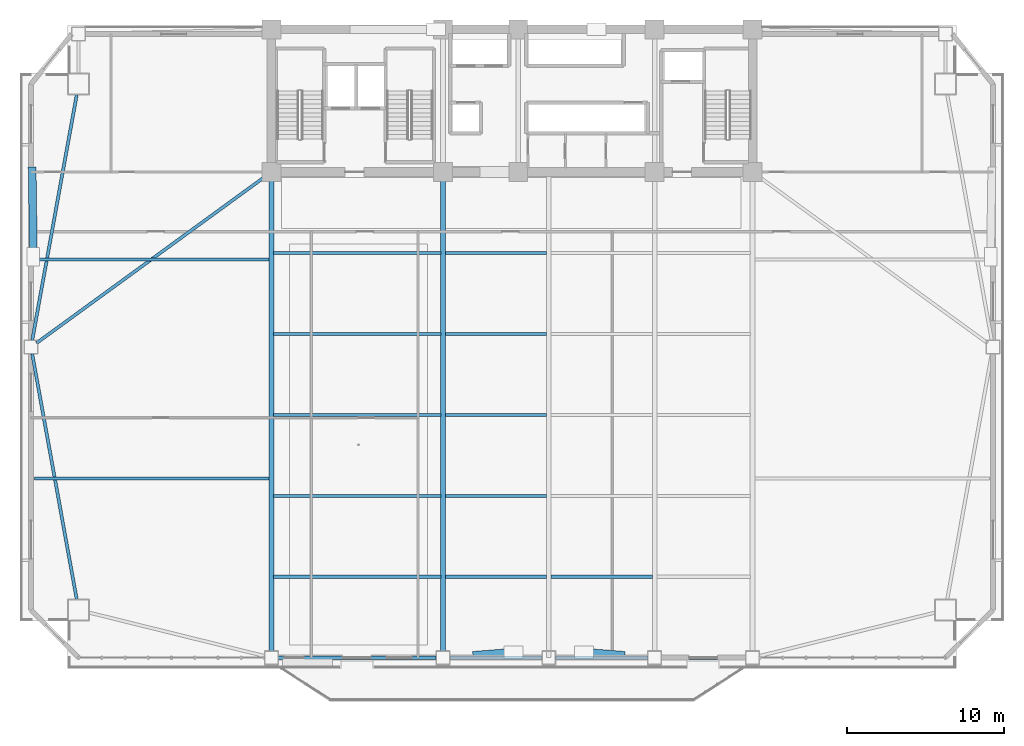
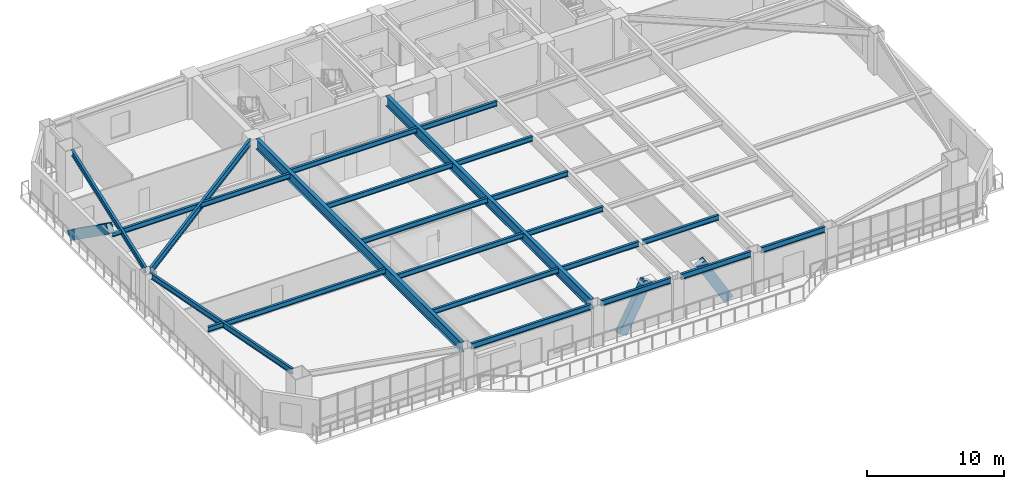
# One storey, part 3 of 15: 22 beams, 3 members.
"""IFC4 building model written with IfcOpenShell, lengths in metres."""

from ifc_helpers import new_model, si_unit, direction, frame, origin, origin_2d, place, context, subcontext, project, spatial, hollow_rectangle, i_section, extrude, source, transform, mapped, material, material_profile, profile_set, type_object, element, save


model = new_model("IFC4")

# Units and contexts
model_context = context("Model", 3, precision=1e-05, world=origin(), true_north=direction((0.0, 1.0)))
body_context = subcontext(model_context, "Body", "Model", "MODEL_VIEW")
ifc_project = project(units=[si_unit("LENGTHUNIT", "METRE"), si_unit("AREAUNIT", "SQUARE_METRE"), si_unit("VOLUMEUNIT", "CUBIC_METRE"), si_unit("PLANEANGLEUNIT", "RADIAN"), si_unit("MASSUNIT", "GRAM", prefix="KILO")], contexts=[model_context])

# Site, building, storey
site_placement = place(None, origin())
site = spatial("IfcSite", under=ifc_project, at=site_placement, CompositionType="ELEMENT")
building_placement = place(site_placement, origin())
building = spatial("IfcBuilding", under=site, at=building_placement, Name="Giltprow Tower", CompositionType="ELEMENT")
storey_placement = place(building_placement, frame((0.0, 0.0, 103.60009765625)))
storey = spatial("IfcBuildingStorey", under=building, at=storey_placement, Name="L25", CompositionType="ELEMENT", Elevation=103.60009765625)

# Beams
ifc_material_1 = material(Name="Structural steel Q355B", Category="steel")
ifc_material_profile_1 = material_profile(ifc_material_1, i_section(OverallWidth=0.199951171875, OverallDepth=0.449951171875, WebThickness=0.009033203125, FlangeThickness=0.013916015625, at=origin_2d()), Name="HN 450x200x9x14")
ifc_profile_set_1 = profile_set([ifc_material_profile_1], Name="Structural steel Q355B")
beam_type_1 = type_object("IfcBeamType", Name="BM-JOIST-HN450", PredefinedType="JOIST", material=ifc_profile_set_1)
shared_shape_1 = source(origin(), body_context, "Body", "SweptSolid", [
    extrude(i_section(OverallWidth=0.199951171875, OverallDepth=0.449951171875, WebThickness=0.009033203125, FlangeThickness=0.013916015625, at=origin_2d()), origin(), (0.0, 0.0, 1.0), 10.659912109375),
])
for number, where, z_axis, x_axis, name in (
    (1, (19.9951171875, 11.626953125, 3.454833984375), (1.0, 0.0, 0.0), (0.0, 1.0, 0.0), "L25 Composite Floor Joist 1-1"),
    (2, (19.9951171875, 16.791015625, 3.454833984375), (1.0, 0.0, 0.0), (0.0, 1.0, 0.0), "L25 Composite Floor Joist 2-1"),
    (3, (19.9951171875, 21.9560546875, 3.454833984375), (1.0, 0.0, 0.0), (0.0, 1.0, 0.0), "L25 Composite Floor Joist 3-1"),
    (4, (19.9951171875, 27.12109375, 3.454833984375), (1.0, 0.0, 0.0), (0.0, 1.0, 0.0), "L25 Composite Floor Joist 4-1"),
    (5, (19.9951171875, 32.284912109375, 3.454833984375), (1.0, 0.0, 0.0), (0.0, 1.0, 0.0), "L25 Composite Floor Joist 5-1"),
):
    element("IfcBeam", number, at=place(storey_placement, frame(where, z_axis=z_axis, x_axis=x_axis)), inside=storey, type_object=beam_type_1, Name=name, PredefinedType="JOIST", context=body_context, shape_type="MappedRepresentation", body=[
        mapped(shared_shape_1, transform((0.0, 0.0, 0.0), x_axis=(1.0, 0.0, 0.0), y_axis=(0.0, 1.0, 0.0), z_axis=(0.0, 0.0, 1.0), scale=1.0)),
    ])
shared_shape_2 = source(origin(), body_context, "Body", "SweptSolid", [
    extrude(i_section(OverallWidth=0.199951171875, OverallDepth=0.449951171875, WebThickness=0.009033203125, FlangeThickness=0.013916015625, at=origin_2d()), origin(), (0.0, 0.0, 1.0), 6.4599609375),
])
for number, where, z_axis, x_axis, name in (
    (6, (30.945068359375, 11.626953125, 3.454833984375), (1.0, 0.0, 0.0), (0.0, 1.0, 0.0), "L25 Composite Floor Joist 1-2"),
    (7, (37.695068359375, 11.626953125, 3.454833984375), (1.0, 0.0, 0.0), (0.0, 1.0, 0.0), "L25 Composite Floor Joist 1-3"),
    (8, (30.945068359375, 16.791015625, 3.454833984375), (1.0, 0.0, 0.0), (0.0, 1.0, 0.0), "L25 Composite Floor Joist 2-2"),
    (9, (30.945068359375, 21.9560546875, 3.454833984375), (1.0, 0.0, 0.0), (0.0, 1.0, 0.0), "L25 Composite Floor Joist 3-2"),
    (10, (30.945068359375, 27.12109375, 3.454833984375), (1.0, 0.0, 0.0), (0.0, 1.0, 0.0), "L25 Composite Floor Joist 4-2"),
    (11, (30.945068359375, 32.284912109375, 3.454833984375), (1.0, 0.0, 0.0), (0.0, 1.0, 0.0), "L25 Composite Floor Joist 5-2"),
):
    element("IfcBeam", number, at=place(storey_placement, frame(where, z_axis=z_axis, x_axis=x_axis)), inside=storey, type_object=beam_type_1, Name=name, PredefinedType="JOIST", context=body_context, shape_type="MappedRepresentation", body=[
        mapped(shared_shape_2, transform((0.0, 0.0, 0.0), x_axis=(1.0, 0.0, 0.0), y_axis=(0.0, 1.0, 0.0), z_axis=(0.0, 0.0, 1.0), scale=1.0)),
    ])
shared_shape_3 = source(origin(), body_context, "Body", "SweptSolid", [
    extrude(i_section(OverallWidth=0.199951171875, OverallDepth=0.449951171875, WebThickness=0.009033203125, FlangeThickness=0.013916015625, at=origin_2d()), origin(), (0.0, 0.0, 1.0), 14.97509765625),
])
for number, where, z_axis, x_axis, name in (
    (12, (4.72998046875, 17.89306640625, 3.454833984375), (1.0, 0.0, 0.0), (0.0, 1.0, 0.0), "L25 West Wing Floor Joist 1"),
    (13, (4.72998046875, 31.864990234375, 3.454833984375), (1.0, 0.0, 0.0), (0.0, 1.0, 0.0), "L25 West Wing Floor Joist 2"),
):
    element("IfcBeam", number, at=place(storey_placement, frame(where, z_axis=z_axis, x_axis=x_axis)), inside=storey, type_object=beam_type_1, Name=name, PredefinedType="JOIST", context=body_context, shape_type="MappedRepresentation", body=[
        mapped(shared_shape_3, transform((0.0, 0.0, 0.0), x_axis=(1.0, 0.0, 0.0), y_axis=(0.0, 1.0, 0.0), z_axis=(0.0, 0.0, 1.0), scale=1.0)),
    ])
ifc_material_profile_2 = material_profile(ifc_material_1, i_section(OverallWidth=0.199951171875, OverallDepth=0.5, WebThickness=0.010009765625, FlangeThickness=0.01611328125, at=origin_2d()), Name="HN 500x200x10x16")
ifc_profile_set_2 = profile_set([ifc_material_profile_2], Name="Structural steel Q355B")
beam_type_2 = type_object("IfcBeamType", Name="BM-SPAN-HN500", PredefinedType="SPANDREL", material=ifc_profile_set_2)
shared_shape_4 = source(origin(), body_context, "Body", "SweptSolid", [
    extrude(i_section(OverallWidth=0.199951171875, OverallDepth=0.5, WebThickness=0.010009765625, FlangeThickness=0.01611328125, at=origin_2d()), origin(), (0.0, 0.0, 1.0), 10.080078125),
])
beam_1_placement = place(storey_placement, frame((20.284912109375, 6.4619140625, 3.429931640625), z_axis=(1.0, 0.0, 0.0), x_axis=(0.0, 1.0, 0.0)))
element("IfcBeam", 14, at=beam_1_placement, inside=storey, type_object=beam_type_2, Name="L25 Perimeter Spandrel Beam S1-S2", PredefinedType="SPANDREL", context=body_context, shape_type="MappedRepresentation", body=[
    mapped(shared_shape_4, transform((0.0, 0.0, 0.0), x_axis=(1.0, 0.0, 0.0), y_axis=(0.0, 1.0, 0.0), z_axis=(0.0, 0.0, 1.0), scale=1.0)),
])
shared_shape_5 = source(origin(), body_context, "Body", "SweptSolid", [
    extrude(i_section(OverallWidth=0.199951171875, OverallDepth=0.5, WebThickness=0.010009765625, FlangeThickness=0.01611328125, at=origin_2d()), origin(), (0.0, 0.0, 1.0), 5.8798828125),
])
for number, where, z_axis, x_axis, name in (
    (15, (31.235107421875, 6.4619140625, 3.429931640625), (1.0, 0.0, 0.0), (0.0, 1.0, 0.0), "L25 Perimeter Spandrel Beam S2-S_MID"),
    (16, (37.985107421875, 6.4619140625, 3.429931640625), (1.0, 0.0, 0.0), (0.0, 1.0, 0.0), "L25 Perimeter Spandrel Beam S_MID-S3"),
):
    element("IfcBeam", number, at=place(storey_placement, frame(where, z_axis=z_axis, x_axis=x_axis)), inside=storey, type_object=beam_type_2, Name=name, PredefinedType="SPANDREL", context=body_context, shape_type="MappedRepresentation", body=[
        mapped(shared_shape_5, transform((0.0, 0.0, 0.0), x_axis=(1.0, 0.0, 0.0), y_axis=(0.0, 1.0, 0.0), z_axis=(0.0, 0.0, 1.0), scale=1.0)),
    ])
shared_shape_6 = source(origin(), body_context, "Body", "SweptSolid", [
    extrude(i_section(OverallWidth=0.199951171875, OverallDepth=0.5, WebThickness=0.010009765625, FlangeThickness=0.01611328125, at=origin_2d()), origin(), (0.0, 0.0, 1.0), 5.3798828125),
])
beam_2_placement = place(storey_placement, frame((44.735107421875, 6.4619140625, 3.429931640625), z_axis=(1.0, 0.0, 0.0), x_axis=(0.0, 1.0, 0.0)))
element("IfcBeam", 17, at=beam_2_placement, inside=storey, type_object=beam_type_2, Name="L25 Perimeter Spandrel Beam S3-S4", PredefinedType="SPANDREL", context=body_context, shape_type="MappedRepresentation", body=[
    mapped(shared_shape_6, transform((0.0, 0.0, 0.0), x_axis=(1.0, 0.0, 0.0), y_axis=(0.0, 1.0, 0.0), z_axis=(0.0, 0.0, 1.0), scale=1.0)),
])
shared_shape_7 = source(origin(), body_context, "Body", "SweptSolid", [
    extrude(i_section(OverallWidth=0.199951171875, OverallDepth=0.5, WebThickness=0.010009765625, FlangeThickness=0.01611328125, at=origin_2d()), origin(), (0.0, 0.0, 1.0), 15.928955078125),
])
beam_3_placement = place(storey_placement, frame((4.587890625, 25.85205078125, 3.429931640625), z_axis=(0.178482140898, -0.983943151498, 0.0), x_axis=(0.983943151498, 0.178482140898, 0.0)))
element("IfcBeam", 18, at=beam_3_placement, inside=storey, type_object=beam_type_2, Name="L25 Perimeter Spandrel Beam W_MID-MC_SW", PredefinedType="SPANDREL", context=body_context, shape_type="MappedRepresentation", body=[
    mapped(shared_shape_7, transform((0.0, 0.0, 0.0), x_axis=(1.0, 0.0, 0.0), y_axis=(0.0, 1.0, 0.0), z_axis=(0.0, 0.0, 1.0), scale=1.0)),
])
shared_shape_8 = source(origin(), body_context, "Body", "SweptSolid", [
    extrude(i_section(OverallWidth=0.199951171875, OverallDepth=0.5, WebThickness=0.010009765625, FlangeThickness=0.01611328125, at=origin_2d()), origin(), (0.0, 0.0, 1.0), 15.929931640625),
])
beam_4_placement = place(storey_placement, frame((7.430908203125, 42.382080078125, 3.429931640625), z_axis=(-0.1784713749, -0.983945104333, 0.0), x_axis=(0.983945104333, -0.1784713749, 0.0)))
element("IfcBeam", 19, at=beam_4_placement, inside=storey, type_object=beam_type_2, Name="L25 Perimeter Spandrel Beam MC_NW-W_MID", PredefinedType="SPANDREL", context=body_context, shape_type="MappedRepresentation", body=[
    mapped(shared_shape_8, transform((0.0, 0.0, 0.0), x_axis=(1.0, 0.0, 0.0), y_axis=(0.0, 1.0, 0.0), z_axis=(0.0, 0.0, 1.0), scale=1.0)),
])
ifc_material_profile_3 = material_profile(ifc_material_1, i_section(OverallWidth=0.300048828125, OverallDepth=0.89990234375, WebThickness=0.01611328125, FlangeThickness=0.028076171875, at=origin_2d()), Name="HN 900x300x16x28")
ifc_profile_set_3 = profile_set([ifc_material_profile_3], Name="Structural steel Q355B")
beam_type_3 = type_object("IfcBeamType", Name="BM-GIRD-HN900", PredefinedType="BEAM", material=ifc_profile_set_3)
shared_shape_9 = source(origin(), body_context, "Body", "SweptSolid", [
    extrude(i_section(OverallWidth=0.300048828125, OverallDepth=0.89990234375, WebThickness=0.01611328125, FlangeThickness=0.028076171875, at=origin_2d()), origin(), (0.0, 0.0, 1.0), 29.968017578125),
])
for number, where, z_axis, x_axis, name in (
    (20, (19.85009765625, 6.89697265625, 3.22998046875), (0.0, 1.0, 0.0), (-1.0, 0.0, 0.0), "L25 Primary Lease Girder S1"),
    (21, (30.800048828125, 6.89697265625, 3.22998046875), (0.0, 1.0, 0.0), (-1.0, 0.0, 0.0), "L25 Primary Lease Girder S2"),
):
    element("IfcBeam", number, at=place(storey_placement, frame(where, z_axis=z_axis, x_axis=x_axis)), inside=storey, type_object=beam_type_3, Name=name, PredefinedType="BEAM", context=body_context, shape_type="MappedRepresentation", body=[
        mapped(shared_shape_9, transform((0.0, 0.0, 0.0), x_axis=(1.0, 0.0, 0.0), y_axis=(0.0, 1.0, 0.0), z_axis=(0.0, 0.0, 1.0), scale=1.0)),
    ])
ifc_material_profile_4 = material_profile(ifc_material_1, i_section(OverallWidth=0.199951171875, OverallDepth=0.60009765625, WebThickness=0.010986328125, FlangeThickness=0.01708984375, at=origin_2d()), Name="HN 600x200x11x17")
ifc_profile_set_4 = profile_set([ifc_material_profile_4], Name="Structural steel Q355B")
beam_type_4 = type_object("IfcBeamType", Name="BM-GIRD-HN600", PredefinedType="BEAM", material=ifc_profile_set_4)
shared_shape_10 = source(origin(), body_context, "Body", "SweptSolid", [
    extrude(i_section(OverallWidth=0.199951171875, OverallDepth=0.60009765625, WebThickness=0.010986328125, FlangeThickness=0.01708984375, at=origin_2d()), origin(), (0.0, 0.0, 1.0), 17.955810546875),
])
beam_5_placement = place(storey_placement, frame((4.862060546875, 26.535888671875, 3.3798828125), z_axis=(0.808370799155, 0.588673637149, 0.0), x_axis=(-0.588673637149, 0.808370799155, 0.0)))
element("IfcBeam", 22, at=beam_5_placement, inside=storey, type_object=beam_type_4, Name="L25 West Wing Primary Girder", PredefinedType="BEAM", context=body_context, shape_type="MappedRepresentation", body=[
    mapped(shared_shape_10, transform((0.0, 0.0, 0.0), x_axis=(1.0, 0.0, 0.0), y_axis=(0.0, 1.0, 0.0), z_axis=(0.0, 0.0, 1.0), scale=1.0)),
])

# Members
ifc_material_2 = material(Name="Structural steel Q420GJC", Category="steel")
ifc_material_profile_5 = material_profile(ifc_material_2, hollow_rectangle(XDim=0.5, YDim=0.800048828125, WallThickness=0.035888671875, at=origin_2d()), Name="RHS 800x500x36")
ifc_profile_set_5 = profile_set([ifc_material_profile_5], Name="Structural steel Q420GJC")
member_type = type_object("IfcMemberType", Name="MBR-MEGA-RHS800", PredefinedType="BRACE", material=ifc_profile_set_5)
shared_shape_11 = source(origin(), body_context, "Body", "SweptSolid", [
    extrude(hollow_rectangle(XDim=0.5, YDim=0.800048828125, WallThickness=0.035888671875, at=origin_2d()), origin(), (0.0, 0.0, 1.0), 4.505859375),
])
for number, where, z_axis, x_axis, name in (
    (23, (33.050048828125, 6.637939453125, 0.0), (0.499350364216, 0.039065930187, 0.865518958115), (-0.077995186993, 0.996953735539, 0.0), "L25 Chevron Mega-Brace S-L"),
    (24, (42.050048828125, 6.637939453125, 0.0), (-0.499350364216, 0.039065930187, 0.865518958115), (-0.077995186993, -0.996953735539, 0.0), "L25 Chevron Mega-Brace S-R"),
):
    element("IfcMember", number, at=place(storey_placement, frame(where, z_axis=z_axis, x_axis=x_axis)), inside=storey, type_object=member_type, Name=name, PredefinedType="BRACE", context=body_context, shape_type="MappedRepresentation", body=[
        mapped(shared_shape_11, transform((0.0, 0.0, 0.0), x_axis=(1.0, 0.0, 0.0), y_axis=(0.0, 1.0, 0.0), z_axis=(0.0, 0.0, 1.0), scale=1.0)),
    ])
shared_shape_12 = source(origin(), body_context, "Body", "SweptSolid", [
    extrude(hollow_rectangle(XDim=0.5, YDim=0.800048828125, WallThickness=0.035888671875, at=origin_2d()), origin(), (0.0, 0.0, 1.0), 6.7451171875),
])
member_placement = place(storey_placement, frame((4.587890625, 37.552001953125, 0.0), z_axis=(0.011582328978, -0.815830297421, 0.578175384694), x_axis=(0.999899238066, 0.014195552626, 0.0)))
element("IfcMember", 25, at=member_placement, inside=storey, type_object=member_type, Name="L25 Chevron Mega-Brace W-R", PredefinedType="BRACE", context=body_context, shape_type="MappedRepresentation", body=[
    mapped(shared_shape_12, transform((0.0, 0.0, 0.0), x_axis=(1.0, 0.0, 0.0), y_axis=(0.0, 1.0, 0.0), z_axis=(0.0, 0.0, 1.0), scale=1.0)),
])

save(model, "model.ifc")
